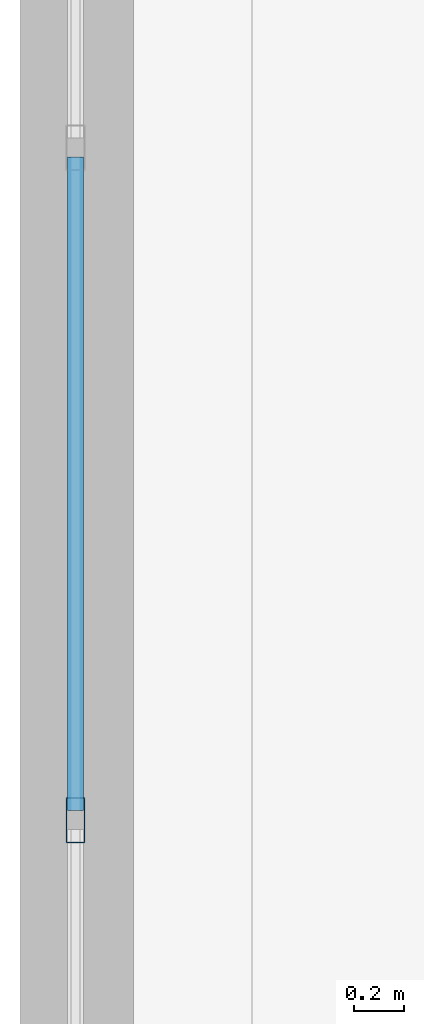
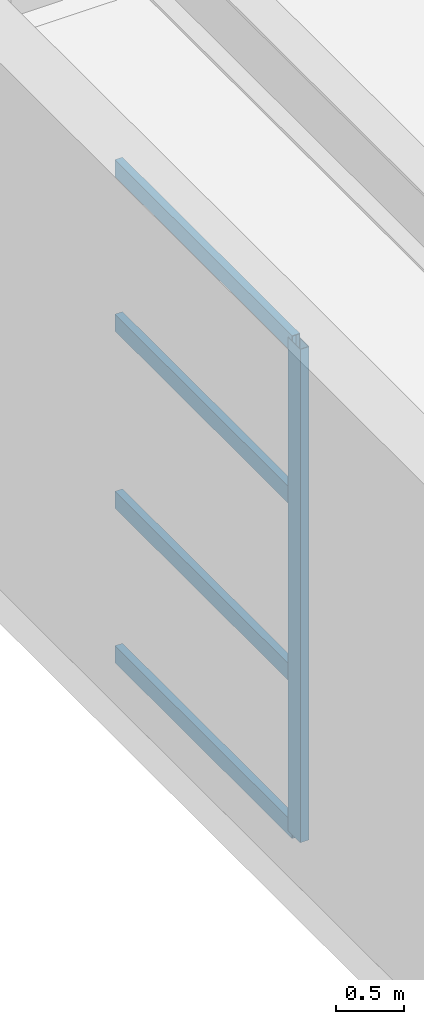
# One storey, part 10 of 35: 5 members, 1 element without a shape of its own.
"""IFC4 building model written with IfcOpenShell, lengths in metres."""

from ifc_helpers import new_model, si_unit, direction, frame, origin, origin_2d, place, context, subcontext, project, spatial, hollow_rectangle, extrude, material, layer, layer_set, material_profile, profile_set, type_object, element, aggregate, save


model = new_model("IFC4")

# Units and contexts
model_context = context("Model", 3, precision=1e-05, world=origin(), true_north=direction((0.0, 1.0)))
body_context = subcontext(model_context, "Body", "Model", "MODEL_VIEW")
ifc_project = project(units=[si_unit("LENGTHUNIT", "METRE"), si_unit("AREAUNIT", "SQUARE_METRE"), si_unit("VOLUMEUNIT", "CUBIC_METRE"), si_unit("PLANEANGLEUNIT", "RADIAN"), si_unit("MASSUNIT", "GRAM", prefix="KILO")], contexts=[model_context])

# Site, building, storey
site_placement = place(None, origin())
site = spatial("IfcSite", under=ifc_project, at=site_placement, CompositionType="ELEMENT")
building_placement = place(site_placement, origin())
building = spatial("IfcBuilding", under=site, at=building_placement, Name="Qiaolan Cultural Towers", CompositionType="ELEMENT")
storey_placement = place(building_placement, frame((0.0, 0.0, 11.5)))
storey = spatial("IfcBuildingStorey", under=building, at=storey_placement, Name="L02", CompositionType="ELEMENT", Elevation=11.5)

# Curtain wall, members
ifc_material_1 = material(Name="Unitized Anodized Aluminium Curtain Wall System", Category="aluminium")
ifc_layer = layer(ifc_material_1, 0.199951171875)
ifc_layer_set = layer_set([ifc_layer], Name="Unitized Anodized Aluminium Curtain Wall System")
curtain_wall_type = type_object("IfcCurtainWallType", Name="CWS-04", PredefinedType="NOTDEFINED", material=ifc_layer_set)
curtain_wall_placement = place(storey_placement, origin())
curtain_wall = element("IfcCurtainWall", 1, at=curtain_wall_placement, inside=storey, type_object=curtain_wall_type, Name="L02 West Exhibition Foyer Curtain Wall", PredefinedType="NOTDEFINED")
ifc_material_2 = material(Name="Extruded Aluminium 6063-T6", Category="aluminium")
ifc_material_profile_1 = material_profile(ifc_material_2, hollow_rectangle(XDim=0.074951171875, YDim=0.179931640625, WallThickness=0.00390625, at=origin_2d()), Name="CWM-180x75x4")
ifc_profile_set_1 = profile_set([ifc_material_profile_1], Name="Extruded Aluminium 6063-T6")
member_type_1 = type_object("IfcMemberType", Name="CWS-04-MUL", PredefinedType="MULLION", material=ifc_profile_set_1)
member_1_placement = place(storey_placement, frame((0.219970703125, 32.666748046875, 0.14990234375), z_axis=(0.0, 0.0, 1.0), x_axis=(-1.0, 0.0, 0.0)))
member_1 = element("IfcMember", 2, at=member_1_placement, type_object=member_type_1, Name="CW-4 mullion 2", PredefinedType="MULLION", context=body_context, shape_type="SweptSolid", body=[
    extrude(hollow_rectangle(XDim=0.074951171875, YDim=0.179931640625, WallThickness=0.00390625, at=origin_2d()), origin(), (0.0, 0.0, 1.0), 4.400146484375),
])
ifc_material_3 = material(Name="Extruded Aluminium 6063-T6", Category="aluminium")
ifc_material_profile_2 = material_profile(ifc_material_3, hollow_rectangle(XDim=0.06494140625, YDim=0.14990234375, WallThickness=0.00390625, at=origin_2d()), Name="CWT-150x65x4")
ifc_profile_set_2 = profile_set([ifc_material_profile_2], Name="Extruded Aluminium 6063-T6")
member_type_2 = type_object("IfcMemberType", Name="CWS-04-TRN", PredefinedType="USERDEFINED", material=ifc_profile_set_2)
member_2_placement = place(storey_placement, frame((0.219970703125, 32.7041015625, 0.1826171875), z_axis=(0.0, 1.0, 0.0), x_axis=(-1.0, 0.0, 0.0)))
member_2 = element("IfcMember", 3, at=member_2_placement, type_object=member_type_2, Name="CW-4 transom 2.1", ObjectType="TRANSOM", PredefinedType="USERDEFINED", context=body_context, shape_type="SweptSolid", body=[
    extrude(hollow_rectangle(XDim=0.06494140625, YDim=0.14990234375, WallThickness=0.00390625, at=origin_2d()), origin(), (0.0, 0.0, 1.0), 2.591796875),
])
member_3_placement = place(storey_placement, frame((0.219970703125, 32.7041015625, 1.56005859375), z_axis=(0.0, 1.0, 0.0), x_axis=(-1.0, 0.0, 0.0)))
member_3 = element("IfcMember", 4, at=member_3_placement, type_object=member_type_2, Name="CW-4 transom 2.2", ObjectType="TRANSOM", PredefinedType="USERDEFINED", context=body_context, shape_type="SweptSolid", body=[
    extrude(hollow_rectangle(XDim=0.06494140625, YDim=0.14990234375, WallThickness=0.00390625, at=origin_2d()), origin(), (0.0, 0.0, 1.0), 2.591796875),
])
member_4_placement = place(storey_placement, frame((0.219970703125, 32.7041015625, 3.139892578125), z_axis=(0.0, 1.0, 0.0), x_axis=(-1.0, 0.0, 0.0)))
member_4 = element("IfcMember", 5, at=member_4_placement, type_object=member_type_2, Name="CW-4 transom 2.3", ObjectType="TRANSOM", PredefinedType="USERDEFINED", context=body_context, shape_type="SweptSolid", body=[
    extrude(hollow_rectangle(XDim=0.06494140625, YDim=0.14990234375, WallThickness=0.00390625, at=origin_2d()), origin(), (0.0, 0.0, 1.0), 2.591796875),
])
member_5_placement = place(storey_placement, frame((0.219970703125, 32.7041015625, 4.517578125), z_axis=(0.0, 1.0, 0.0), x_axis=(-1.0, 0.0, 0.0)))
member_5 = element("IfcMember", 6, at=member_5_placement, type_object=member_type_2, Name="CW-4 transom 2.4", ObjectType="TRANSOM", PredefinedType="USERDEFINED", context=body_context, shape_type="SweptSolid", body=[
    extrude(hollow_rectangle(XDim=0.06494140625, YDim=0.14990234375, WallThickness=0.00390625, at=origin_2d()), origin(), (0.0, 0.0, 1.0), 2.591796875),
])
aggregate(curtain_wall, [member_1, member_2, member_3, member_4, member_5])

save(model, "model.ifc")
